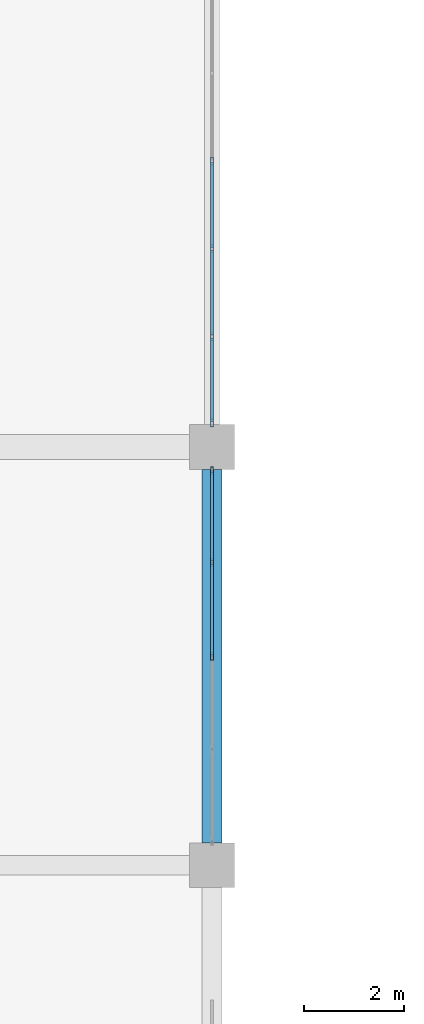
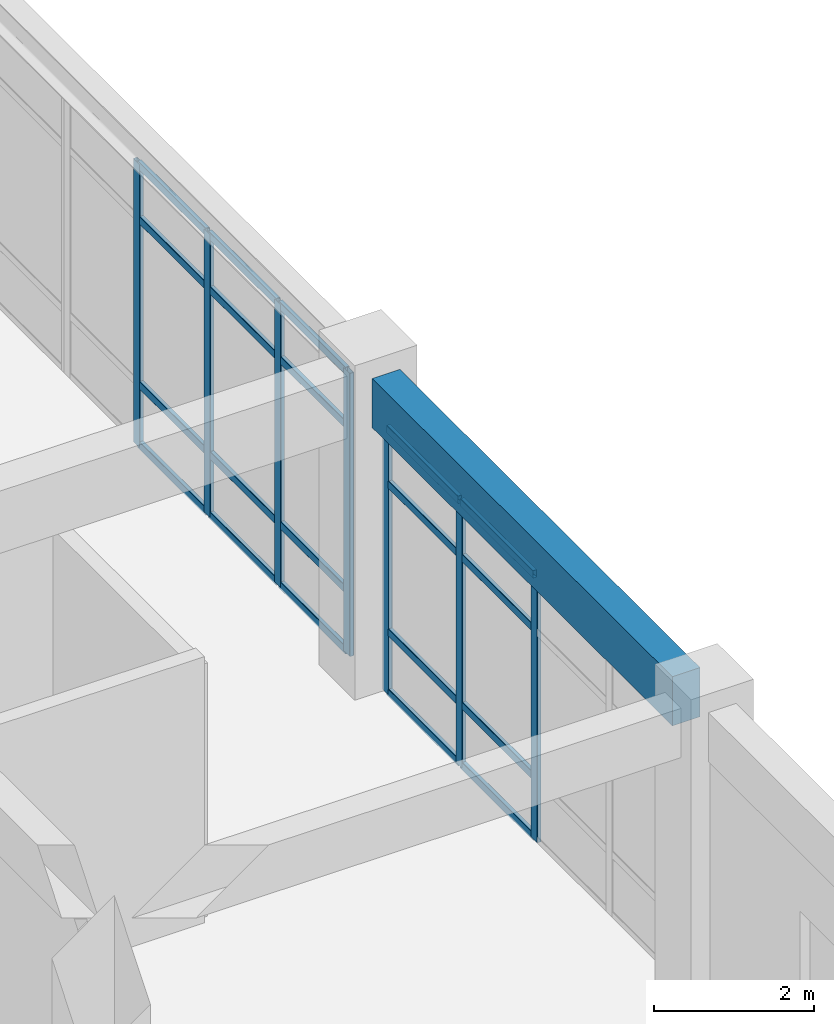
# One storey, part 72 of 120: 27 members, 1 beam, 2 elements without a shape of their own.
"""IFC4 building model written with IfcOpenShell, lengths in metres."""

from ifc_helpers import new_model, si_unit, derived_unit, direction, frame, origin, origin_2d, place, context, subcontext, project, spatial, rectangle, hollow_rectangle, extrude, material, layer, layer_set, material_profile, profile_set, type_object, element, aggregate, save


model = new_model("IFC4")

# Units and contexts
model_context = context("Model", 3, precision=1e-05, world=origin(), true_north=direction((0.0, 1.0)))
body_context = subcontext(model_context, "Body", "Model", "MODEL_VIEW")
ifc_project = project(units=[si_unit("LENGTHUNIT", "METRE"), si_unit("AREAUNIT", "SQUARE_METRE"), si_unit("VOLUMEUNIT", "CUBIC_METRE"), si_unit("PLANEANGLEUNIT", "RADIAN"), si_unit("MASSUNIT", "GRAM", prefix="KILO"), derived_unit("THERMALTRANSMITTANCEUNIT", [(si_unit("MASSUNIT", "GRAM", prefix="KILO"), 1), (si_unit("TIMEUNIT", "SECOND"), -3), (si_unit("THERMODYNAMICTEMPERATUREUNIT", "KELVIN"), -1)])], contexts=[model_context])

# Site, building, storey
site_placement = place(None, origin())
site = spatial("IfcSite", under=ifc_project, at=site_placement, CompositionType="ELEMENT")
building_placement = place(site_placement, origin())
building = spatial("IfcBuilding", under=site, at=building_placement, Name="Qinzheling Arcade Emporium", CompositionType="ELEMENT")
storey_placement = place(building_placement, frame((0.0, 0.0, 11.39990234375)))
storey = spatial("IfcBuildingStorey", under=building, at=storey_placement, Name="L03", CompositionType="ELEMENT", Elevation=11.39990234375)

# Curtain wall, members
ifc_material_1 = material(Name="Anodised aluminium and solar-control double glazing", Category="aluminium")
ifc_layer = layer(ifc_material_1, 0.159912109375, Name="Anodised aluminium and solar-control double glazing", Category="aluminium")
ifc_layer_set = layer_set([ifc_layer], Name="Anodised aluminium and solar-control double glazing")
curtain_wall_type = type_object("IfcCurtainWallType", Name="Arcade Portal Glazed Curtain Wall", PredefinedType="NOTDEFINED", material=ifc_layer_set)
curtain_wall_1_placement = place(storey_placement, origin())
curtain_wall_1 = element("IfcCurtainWall", 1, at=curtain_wall_1_placement, inside=storey, type_object=curtain_wall_type, Name="Curtain Wall CW-L03-202", PredefinedType="NOTDEFINED")
ifc_material_2 = material(Name="Anodised aluminium 6063-T6", Category="aluminium")
ifc_material_profile_1 = material_profile(ifc_material_2, hollow_rectangle(XDim=0.06005859375, YDim=0.159912109375, WallThickness=0.00390625, InnerFilletRadius=0.00390625, OuterFilletRadius=0.008056640625, at=origin_2d()), Name="RHS 160x60x4", Category="aluminium")
ifc_profile_set_1 = profile_set([ifc_material_profile_1], Name="Anodised aluminium 6063-T6")
member_type_1 = type_object("IfcMemberType", Name="Curtain Wall Mullion RHS160x60", PredefinedType="MULLION", material=ifc_profile_set_1)
member_1_placement = place(storey_placement, frame((130.5, 56.136474609375, 0.0), z_axis=(0.0, 0.0, 1.0), x_axis=(1.0, 0.0, 0.0)))
member_1 = element("IfcMember", 2, at=member_1_placement, type_object=member_type_1, Name="CW05 mullion 2", PredefinedType="MULLION", context=body_context, shape_type="SweptSolid", body=[
    extrude(hollow_rectangle(XDim=0.06005859375, YDim=0.159912109375, WallThickness=0.00390625, InnerFilletRadius=0.00390625, OuterFilletRadius=0.008056640625, at=origin_2d()), origin(), (0.0, 0.0, 1.0), 4.317138671875),
])
member_2_placement = place(storey_placement, frame((130.5, 54.375, 0.0), z_axis=(0.0, 0.0, 1.0), x_axis=(1.0, 0.0, 0.0)))
member_2 = element("IfcMember", 3, at=member_2_placement, type_object=member_type_1, Name="CW05 mullion 3", PredefinedType="MULLION", context=body_context, shape_type="SweptSolid", body=[
    extrude(hollow_rectangle(XDim=0.06005859375, YDim=0.159912109375, WallThickness=0.00390625, InnerFilletRadius=0.00390625, OuterFilletRadius=0.008056640625, at=origin_2d()), origin(), (0.0, 0.0, 1.0), 4.317138671875),
])
member_3_placement = place(storey_placement, frame((130.5, 52.613525390625, 0.0), z_axis=(0.0, 0.0, 1.0), x_axis=(1.0, 0.0, 0.0)))
member_3 = element("IfcMember", 4, at=member_3_placement, type_object=member_type_1, Name="CW05 mullion 4", PredefinedType="MULLION", context=body_context, shape_type="SweptSolid", body=[
    extrude(hollow_rectangle(XDim=0.06005859375, YDim=0.159912109375, WallThickness=0.00390625, InnerFilletRadius=0.00390625, OuterFilletRadius=0.008056640625, at=origin_2d()), origin(), (0.0, 0.0, 1.0), 4.317138671875),
])
member_4_placement = place(storey_placement, frame((130.5, 50.882080078125, 0.0), z_axis=(0.0, 0.0, 1.0), x_axis=(1.0, 0.0, 0.0)))
member_4 = element("IfcMember", 5, at=member_4_placement, type_object=member_type_1, Name="CW05 mullion 5", PredefinedType="MULLION", context=body_context, shape_type="SweptSolid", body=[
    extrude(hollow_rectangle(XDim=0.06005859375, YDim=0.159912109375, WallThickness=0.00390625, InnerFilletRadius=0.00390625, OuterFilletRadius=0.008056640625, at=origin_2d()), origin(), (0.0, 0.0, 1.0), 4.317138671875),
])

curtain_wall_2_placement = place(storey_placement, origin())
curtain_wall_2 = element("IfcCurtainWall", 6, at=curtain_wall_2_placement, inside=storey, type_object=curtain_wall_type, Name="Curtain Wall CW-L03-203", PredefinedType="NOTDEFINED")
member_5_placement = place(storey_placement, frame((130.5, 49.91796875, 0.0), z_axis=(0.0, 0.0, 1.0), x_axis=(1.0, 0.0, 0.0)))
member_5 = element("IfcMember", 7, at=member_5_placement, type_object=member_type_1, Name="CW05 mullion 1", PredefinedType="MULLION", context=body_context, shape_type="SweptSolid", body=[
    extrude(hollow_rectangle(XDim=0.06005859375, YDim=0.159912109375, WallThickness=0.00390625, InnerFilletRadius=0.00390625, OuterFilletRadius=0.008056640625, at=origin_2d()), origin(), (0.0, 0.0, 1.0), 4.05517578125),
])
member_6_placement = place(storey_placement, frame((130.5, 48.073974609375, 0.0), z_axis=(0.0, 0.0, 1.0), x_axis=(1.0, 0.0, 0.0)))
member_6 = element("IfcMember", 8, at=member_6_placement, type_object=member_type_1, Name="CW05 mullion 2", PredefinedType="MULLION", context=body_context, shape_type="SweptSolid", body=[
    extrude(hollow_rectangle(XDim=0.06005859375, YDim=0.159912109375, WallThickness=0.00390625, InnerFilletRadius=0.00390625, OuterFilletRadius=0.008056640625, at=origin_2d()), origin(), (0.0, 0.0, 1.0), 4.05517578125),
])
member_7_placement = place(storey_placement, frame((130.5, 46.199951171875, 0.0), z_axis=(0.0, 0.0, 1.0), x_axis=(1.0, 0.0, 0.0)))
member_7 = element("IfcMember", 9, at=member_7_placement, type_object=member_type_1, Name="CW05 mullion 3", PredefinedType="MULLION", context=body_context, shape_type="SweptSolid", body=[
    extrude(hollow_rectangle(XDim=0.06005859375, YDim=0.159912109375, WallThickness=0.00390625, InnerFilletRadius=0.00390625, OuterFilletRadius=0.008056640625, at=origin_2d()), origin(), (0.0, 0.0, 1.0), 4.05517578125),
])

# Member
ifc_material_profile_2 = material_profile(ifc_material_2, hollow_rectangle(XDim=0.06005859375, YDim=0.1201171875, WallThickness=0.00390625, InnerFilletRadius=0.00390625, OuterFilletRadius=0.008056640625, at=origin_2d()), Name="RHS 120x60x4", Category="aluminium")
ifc_profile_set_2 = profile_set([ifc_material_profile_2], Name="Anodised aluminium 6063-T6")
member_type_2 = type_object("IfcMemberType", Name="Curtain Wall Transom RHS120x60", PredefinedType="USERDEFINED", material=ifc_profile_set_2)
member_8_placement = place(storey_placement, frame((130.5, 56.1064453125, 0.030029296875), z_axis=(0.0, -1.0, 0.0), x_axis=(1.0, 0.0, 0.0)))
member_8 = element("IfcMember", 10, at=member_8_placement, type_object=member_type_2, Name="CW05 transom 2.1", ObjectType="TRANSOM", PredefinedType="USERDEFINED", context=body_context, shape_type="SweptSolid", body=[
    extrude(hollow_rectangle(XDim=0.06005859375, YDim=0.1201171875, WallThickness=0.00390625, InnerFilletRadius=0.00390625, OuterFilletRadius=0.008056640625, at=origin_2d()), origin(), (0.0, 0.0, 1.0), 1.701416015625),
])

member_9_placement = place(storey_placement, frame((130.5, 56.1064453125, 0.9501953125), z_axis=(0.0, -1.0, 0.0), x_axis=(1.0, 0.0, 0.0)))
member_9 = element("IfcMember", 11, at=member_9_placement, type_object=member_type_2, Name="CW05 transom 2.2", ObjectType="TRANSOM", PredefinedType="USERDEFINED", context=body_context, shape_type="SweptSolid", body=[
    extrude(hollow_rectangle(XDim=0.06005859375, YDim=0.1201171875, WallThickness=0.00390625, InnerFilletRadius=0.00390625, OuterFilletRadius=0.008056640625, at=origin_2d()), origin(), (0.0, 0.0, 1.0), 1.701416015625),
])

member_10_placement = place(storey_placement, frame((130.5, 56.1064453125, 3.467041015625), z_axis=(0.0, -1.0, 0.0), x_axis=(1.0, 0.0, 0.0)))
member_10 = element("IfcMember", 12, at=member_10_placement, type_object=member_type_2, Name="CW05 transom 2.3", ObjectType="TRANSOM", PredefinedType="USERDEFINED", context=body_context, shape_type="SweptSolid", body=[
    extrude(hollow_rectangle(XDim=0.06005859375, YDim=0.1201171875, WallThickness=0.00390625, InnerFilletRadius=0.00390625, OuterFilletRadius=0.008056640625, at=origin_2d()), origin(), (0.0, 0.0, 1.0), 1.701416015625),
])

member_11_placement = place(storey_placement, frame((130.5, 56.1064453125, 4.287109375), z_axis=(0.0, -1.0, 0.0), x_axis=(1.0, 0.0, 0.0)))
member_11 = element("IfcMember", 13, at=member_11_placement, type_object=member_type_2, Name="CW05 transom 2.4", ObjectType="TRANSOM", PredefinedType="USERDEFINED", context=body_context, shape_type="SweptSolid", body=[
    extrude(hollow_rectangle(XDim=0.06005859375, YDim=0.1201171875, WallThickness=0.00390625, InnerFilletRadius=0.00390625, OuterFilletRadius=0.008056640625, at=origin_2d()), origin(), (0.0, 0.0, 1.0), 1.701416015625),
])

member_12_placement = place(storey_placement, frame((130.5, 54.344970703125, 0.030029296875), z_axis=(0.0, -1.0, 0.0), x_axis=(1.0, 0.0, 0.0)))
member_12 = element("IfcMember", 14, at=member_12_placement, type_object=member_type_2, Name="CW05 transom 3.1", ObjectType="TRANSOM", PredefinedType="USERDEFINED", context=body_context, shape_type="SweptSolid", body=[
    extrude(hollow_rectangle(XDim=0.06005859375, YDim=0.1201171875, WallThickness=0.00390625, InnerFilletRadius=0.00390625, OuterFilletRadius=0.008056640625, at=origin_2d()), origin(), (0.0, 0.0, 1.0), 1.701416015625),
])

member_13_placement = place(storey_placement, frame((130.5, 54.344970703125, 0.9501953125), z_axis=(0.0, -1.0, 0.0), x_axis=(1.0, 0.0, 0.0)))
member_13 = element("IfcMember", 15, at=member_13_placement, type_object=member_type_2, Name="CW05 transom 3.2", ObjectType="TRANSOM", PredefinedType="USERDEFINED", context=body_context, shape_type="SweptSolid", body=[
    extrude(hollow_rectangle(XDim=0.06005859375, YDim=0.1201171875, WallThickness=0.00390625, InnerFilletRadius=0.00390625, OuterFilletRadius=0.008056640625, at=origin_2d()), origin(), (0.0, 0.0, 1.0), 1.701416015625),
])

member_14_placement = place(storey_placement, frame((130.5, 54.344970703125, 3.467041015625), z_axis=(0.0, -1.0, 0.0), x_axis=(1.0, 0.0, 0.0)))
member_14 = element("IfcMember", 16, at=member_14_placement, type_object=member_type_2, Name="CW05 transom 3.3", ObjectType="TRANSOM", PredefinedType="USERDEFINED", context=body_context, shape_type="SweptSolid", body=[
    extrude(hollow_rectangle(XDim=0.06005859375, YDim=0.1201171875, WallThickness=0.00390625, InnerFilletRadius=0.00390625, OuterFilletRadius=0.008056640625, at=origin_2d()), origin(), (0.0, 0.0, 1.0), 1.701416015625),
])

member_15_placement = place(storey_placement, frame((130.5, 54.344970703125, 4.287109375), z_axis=(0.0, -1.0, 0.0), x_axis=(1.0, 0.0, 0.0)))
member_15 = element("IfcMember", 17, at=member_15_placement, type_object=member_type_2, Name="CW05 transom 3.4", ObjectType="TRANSOM", PredefinedType="USERDEFINED", context=body_context, shape_type="SweptSolid", body=[
    extrude(hollow_rectangle(XDim=0.06005859375, YDim=0.1201171875, WallThickness=0.00390625, InnerFilletRadius=0.00390625, OuterFilletRadius=0.008056640625, at=origin_2d()), origin(), (0.0, 0.0, 1.0), 1.701416015625),
])

member_16_placement = place(storey_placement, frame((130.5, 52.58349609375, 0.030029296875), z_axis=(0.0, -1.0, 0.0), x_axis=(1.0, 0.0, 0.0)))
member_16 = element("IfcMember", 18, at=member_16_placement, type_object=member_type_2, Name="CW05 transom 4.1", ObjectType="TRANSOM", PredefinedType="USERDEFINED", context=body_context, shape_type="SweptSolid", body=[
    extrude(hollow_rectangle(XDim=0.06005859375, YDim=0.1201171875, WallThickness=0.00390625, InnerFilletRadius=0.00390625, OuterFilletRadius=0.008056640625, at=origin_2d()), origin(), (0.0, 0.0, 1.0), 1.67138671875),
])

member_17_placement = place(storey_placement, frame((130.5, 52.58349609375, 0.9501953125), z_axis=(0.0, -1.0, 0.0), x_axis=(1.0, 0.0, 0.0)))
member_17 = element("IfcMember", 19, at=member_17_placement, type_object=member_type_2, Name="CW05 transom 4.2", ObjectType="TRANSOM", PredefinedType="USERDEFINED", context=body_context, shape_type="SweptSolid", body=[
    extrude(hollow_rectangle(XDim=0.06005859375, YDim=0.1201171875, WallThickness=0.00390625, InnerFilletRadius=0.00390625, OuterFilletRadius=0.008056640625, at=origin_2d()), origin(), (0.0, 0.0, 1.0), 1.67138671875),
])

member_18_placement = place(storey_placement, frame((130.5, 52.58349609375, 3.467041015625), z_axis=(0.0, -1.0, 0.0), x_axis=(1.0, 0.0, 0.0)))
member_18 = element("IfcMember", 20, at=member_18_placement, type_object=member_type_2, Name="CW05 transom 4.3", ObjectType="TRANSOM", PredefinedType="USERDEFINED", context=body_context, shape_type="SweptSolid", body=[
    extrude(hollow_rectangle(XDim=0.06005859375, YDim=0.1201171875, WallThickness=0.00390625, InnerFilletRadius=0.00390625, OuterFilletRadius=0.008056640625, at=origin_2d()), origin(), (0.0, 0.0, 1.0), 1.67138671875),
])

member_19_placement = place(storey_placement, frame((130.5, 52.58349609375, 4.287109375), z_axis=(0.0, -1.0, 0.0), x_axis=(1.0, 0.0, 0.0)))
member_19 = element("IfcMember", 21, at=member_19_placement, type_object=member_type_2, Name="CW05 transom 4.4", ObjectType="TRANSOM", PredefinedType="USERDEFINED", context=body_context, shape_type="SweptSolid", body=[
    extrude(hollow_rectangle(XDim=0.06005859375, YDim=0.1201171875, WallThickness=0.00390625, InnerFilletRadius=0.00390625, OuterFilletRadius=0.008056640625, at=origin_2d()), origin(), (0.0, 0.0, 1.0), 1.67138671875),
])

aggregate(curtain_wall_1, [member_1, member_2, member_3, member_4, member_8, member_9, member_10, member_11, member_12, member_13, member_14, member_15, member_16, member_17, member_18, member_19])

member_20_placement = place(storey_placement, frame((130.5, 49.887939453125, 0.030029296875), z_axis=(0.0, -1.0, 0.0), x_axis=(1.0, 0.0, 0.0)))
member_20 = element("IfcMember", 22, at=member_20_placement, type_object=member_type_2, Name="CW05 transom 1.1", ObjectType="TRANSOM", PredefinedType="USERDEFINED", context=body_context, shape_type="SweptSolid", body=[
    extrude(hollow_rectangle(XDim=0.06005859375, YDim=0.1201171875, WallThickness=0.00390625, InnerFilletRadius=0.00390625, OuterFilletRadius=0.008056640625, at=origin_2d()), origin(), (0.0, 0.0, 1.0), 1.783935546875),
])

member_21_placement = place(storey_placement, frame((130.5, 49.887939453125, 0.9501953125), z_axis=(0.0, -1.0, 0.0), x_axis=(1.0, 0.0, 0.0)))
member_21 = element("IfcMember", 23, at=member_21_placement, type_object=member_type_2, Name="CW05 transom 1.2", ObjectType="TRANSOM", PredefinedType="USERDEFINED", context=body_context, shape_type="SweptSolid", body=[
    extrude(hollow_rectangle(XDim=0.06005859375, YDim=0.1201171875, WallThickness=0.00390625, InnerFilletRadius=0.00390625, OuterFilletRadius=0.008056640625, at=origin_2d()), origin(), (0.0, 0.0, 1.0), 1.783935546875),
])

member_22_placement = place(storey_placement, frame((130.5, 49.887939453125, 3.205078125), z_axis=(0.0, -1.0, 0.0), x_axis=(1.0, 0.0, 0.0)))
member_22 = element("IfcMember", 24, at=member_22_placement, type_object=member_type_2, Name="CW05 transom 1.3", ObjectType="TRANSOM", PredefinedType="USERDEFINED", context=body_context, shape_type="SweptSolid", body=[
    extrude(hollow_rectangle(XDim=0.06005859375, YDim=0.1201171875, WallThickness=0.00390625, InnerFilletRadius=0.00390625, OuterFilletRadius=0.008056640625, at=origin_2d()), origin(), (0.0, 0.0, 1.0), 1.783935546875),
])

member_23_placement = place(storey_placement, frame((130.5, 49.887939453125, 4.025146484375), z_axis=(0.0, -1.0, 0.0), x_axis=(1.0, 0.0, 0.0)))
member_23 = element("IfcMember", 25, at=member_23_placement, type_object=member_type_2, Name="CW05 transom 1.4", ObjectType="TRANSOM", PredefinedType="USERDEFINED", context=body_context, shape_type="SweptSolid", body=[
    extrude(hollow_rectangle(XDim=0.06005859375, YDim=0.1201171875, WallThickness=0.00390625, InnerFilletRadius=0.00390625, OuterFilletRadius=0.008056640625, at=origin_2d()), origin(), (0.0, 0.0, 1.0), 1.783935546875),
])

member_24_placement = place(storey_placement, frame((130.5, 48.0439453125, 0.030029296875), z_axis=(0.0, -1.0, 0.0), x_axis=(1.0, 0.0, 0.0)))
member_24 = element("IfcMember", 26, at=member_24_placement, type_object=member_type_2, Name="CW05 transom 2.1", ObjectType="TRANSOM", PredefinedType="USERDEFINED", context=body_context, shape_type="SweptSolid", body=[
    extrude(hollow_rectangle(XDim=0.06005859375, YDim=0.1201171875, WallThickness=0.00390625, InnerFilletRadius=0.00390625, OuterFilletRadius=0.008056640625, at=origin_2d()), origin(), (0.0, 0.0, 1.0), 1.81396484375),
])

member_25_placement = place(storey_placement, frame((130.5, 48.0439453125, 0.9501953125), z_axis=(0.0, -1.0, 0.0), x_axis=(1.0, 0.0, 0.0)))
member_25 = element("IfcMember", 27, at=member_25_placement, type_object=member_type_2, Name="CW05 transom 2.2", ObjectType="TRANSOM", PredefinedType="USERDEFINED", context=body_context, shape_type="SweptSolid", body=[
    extrude(hollow_rectangle(XDim=0.06005859375, YDim=0.1201171875, WallThickness=0.00390625, InnerFilletRadius=0.00390625, OuterFilletRadius=0.008056640625, at=origin_2d()), origin(), (0.0, 0.0, 1.0), 1.81396484375),
])

member_26_placement = place(storey_placement, frame((130.5, 48.0439453125, 3.205078125), z_axis=(0.0, -1.0, 0.0), x_axis=(1.0, 0.0, 0.0)))
member_26 = element("IfcMember", 28, at=member_26_placement, type_object=member_type_2, Name="CW05 transom 2.3", ObjectType="TRANSOM", PredefinedType="USERDEFINED", context=body_context, shape_type="SweptSolid", body=[
    extrude(hollow_rectangle(XDim=0.06005859375, YDim=0.1201171875, WallThickness=0.00390625, InnerFilletRadius=0.00390625, OuterFilletRadius=0.008056640625, at=origin_2d()), origin(), (0.0, 0.0, 1.0), 1.81396484375),
])

member_27_placement = place(storey_placement, frame((130.5, 48.0439453125, 4.025146484375), z_axis=(0.0, -1.0, 0.0), x_axis=(1.0, 0.0, 0.0)))
member_27 = element("IfcMember", 29, at=member_27_placement, type_object=member_type_2, Name="CW05 transom 2.4", ObjectType="TRANSOM", PredefinedType="USERDEFINED", context=body_context, shape_type="SweptSolid", body=[
    extrude(hollow_rectangle(XDim=0.06005859375, YDim=0.1201171875, WallThickness=0.00390625, InnerFilletRadius=0.00390625, OuterFilletRadius=0.008056640625, at=origin_2d()), origin(), (0.0, 0.0, 1.0), 1.81396484375),
])

aggregate(curtain_wall_2, [member_5, member_6, member_7, member_20, member_21, member_22, member_23, member_24, member_25, member_26, member_27])

# Beam
ifc_material_3 = material(Name="Concrete C40", Category="concrete")
ifc_material_profile_3 = material_profile(ifc_material_3, rectangle(XDim=0.39990234375, YDim=0.75, at=origin_2d()), Name="RC 400x750", Category="concrete")
ifc_profile_set_3 = profile_set([ifc_material_profile_3], Name="Concrete C40")
beam_type = type_object("IfcBeamType", Name="RC Interior Tie Beam 400x750 C40", PredefinedType="BEAM", material=ifc_profile_set_3)
beam_placement = place(storey_placement, frame((130.5, 42.449951171875, 4.445068359375), z_axis=(0.0, 1.0, 0.0), x_axis=(-1.0, 0.0, 0.0)))
element("IfcBeam", 30, at=beam_placement, inside=storey, type_object=beam_type, Name="Beam BM-L03-Y-16-F", PredefinedType="BEAM", context=body_context, shape_type="SweptSolid", body=[
    extrude(rectangle(XDim=0.39990234375, YDim=0.75, at=origin_2d()), origin(), (0.0, 0.0, 1.0), 7.5),
])

save(model, "model.ifc")
